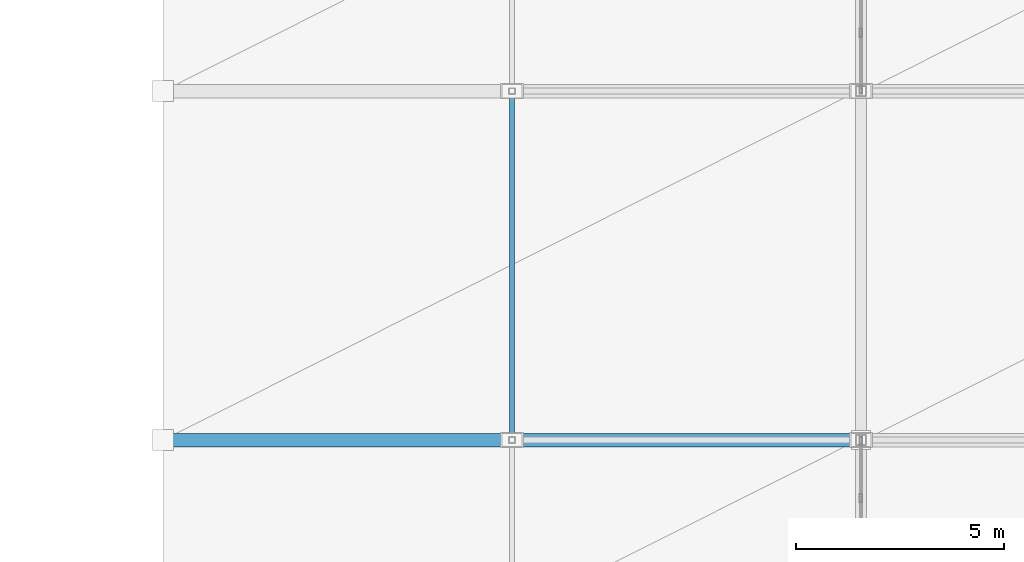
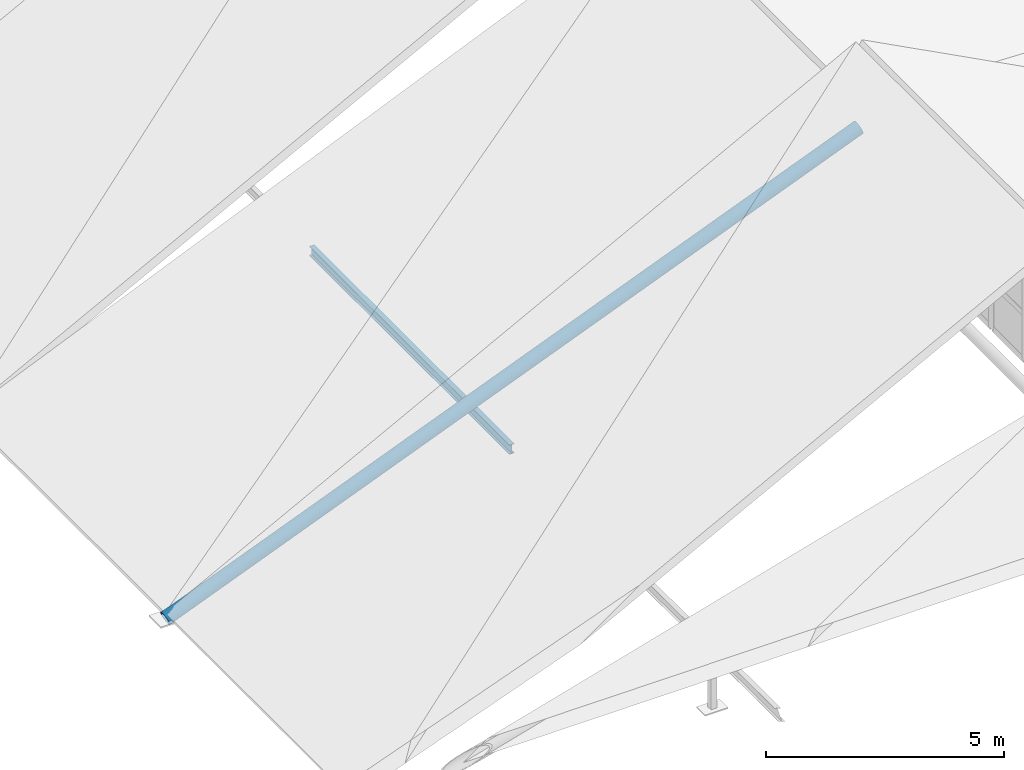
# One storey, part 14 of 76: 2 members.
"""IFC4 building model written with IfcOpenShell, lengths in metres."""

from ifc_helpers import new_model, si_unit, direction, frame, origin, origin_2d, place, context, subcontext, project, spatial, hollow_circle, i_section, extrude, material, material_profile, profile_set, type_object, element, save


model = new_model("IFC4")

# Units and contexts
model_context = context("Model", 3, precision=1e-05, world=origin(), true_north=direction((0.0, 1.0)))
body_context = subcontext(model_context, "Body", "Model", "MODEL_VIEW")
ifc_project = project(units=[si_unit("LENGTHUNIT", "METRE"), si_unit("AREAUNIT", "SQUARE_METRE"), si_unit("VOLUMEUNIT", "CUBIC_METRE"), si_unit("PLANEANGLEUNIT", "RADIAN"), si_unit("MASSUNIT", "GRAM", prefix="KILO")], contexts=[model_context])

# Site, building, storey
site_placement = place(None, origin())
site = spatial("IfcSite", under=ifc_project, at=site_placement, CompositionType="ELEMENT")
building_placement = place(site_placement, origin())
building = spatial("IfcBuilding", under=site, at=building_placement, Name="Krzemoval Escarpment Law Courts", CompositionType="ELEMENT")
storey_placement = place(building_placement, frame((0.0, 0.0, 20.39990234375)))
storey = spatial("IfcBuildingStorey", under=building, at=storey_placement, Name="L04", CompositionType="ELEMENT", Elevation=20.39990234375)

# Members
ifc_material_1 = material(Name="Steel S355", Category="steel")
ifc_material_profile_1 = material_profile(ifc_material_1, hollow_circle(Radius=0.161865234375, WallThickness=0.01611328125, at=origin_2d()), Name="CHS 323.9x16")
ifc_profile_set_1 = profile_set([ifc_material_profile_1], Name="Steel S355")
member_type_1 = type_object("IfcMemberType", Name="MBR-CHD-CHS324", PredefinedType="CHORD", material=ifc_profile_set_1)
member_1_placement = place(storey_placement, frame((8.39990234375, 49.199951171875, -0.14990234375), z_axis=(0.928858805287, 0.0, 0.370433961511), x_axis=(0.0, 1.0, 0.0)))
element("IfcMember", 1, at=member_1_placement, inside=storey, type_object=member_type_1, Name="Roof Rafter Chord TC-0016", PredefinedType="CHORD", context=body_context, shape_type="SweptSolid", body=[
    extrude(hollow_circle(Radius=0.161865234375, WallThickness=0.01611328125, at=origin_2d()), origin(), (0.0, 0.0, 1.0), 18.086669921875),
])
ifc_material_2 = material(Name="Steel S355", Category="steel")
ifc_material_profile_2 = material_profile(ifc_material_2, i_section(OverallWidth=0.1201171875, OverallDepth=0.239990234375, WebThickness=0.006103515625, FlangeThickness=0.009765625, at=origin_2d()), Name="IPE 240")
ifc_profile_set_2 = profile_set([ifc_material_profile_2], Name="Steel S355")
member_type_2 = type_object("IfcMemberType", Name="MBR-PUR-IPE240", PredefinedType="PURLIN", material=ifc_profile_set_2)
member_2_placement = place(storey_placement, frame((16.800048828125, 49.199951171875, 1.25), z_axis=(0.0, 1.0, 0.0), x_axis=(-1.0, 0.0, 0.0)))
element("IfcMember", 2, at=member_2_placement, inside=storey, type_object=member_type_2, Name="Roof Purlin PR-0062", PredefinedType="PURLIN", context=body_context, shape_type="SweptSolid", body=[
    extrude(i_section(OverallWidth=0.1201171875, OverallDepth=0.239990234375, WebThickness=0.006103515625, FlangeThickness=0.009765625, at=origin_2d()), origin(), (0.0, 0.0, 1.0), 8.400146484375),
])

save(model, "model.ifc")
